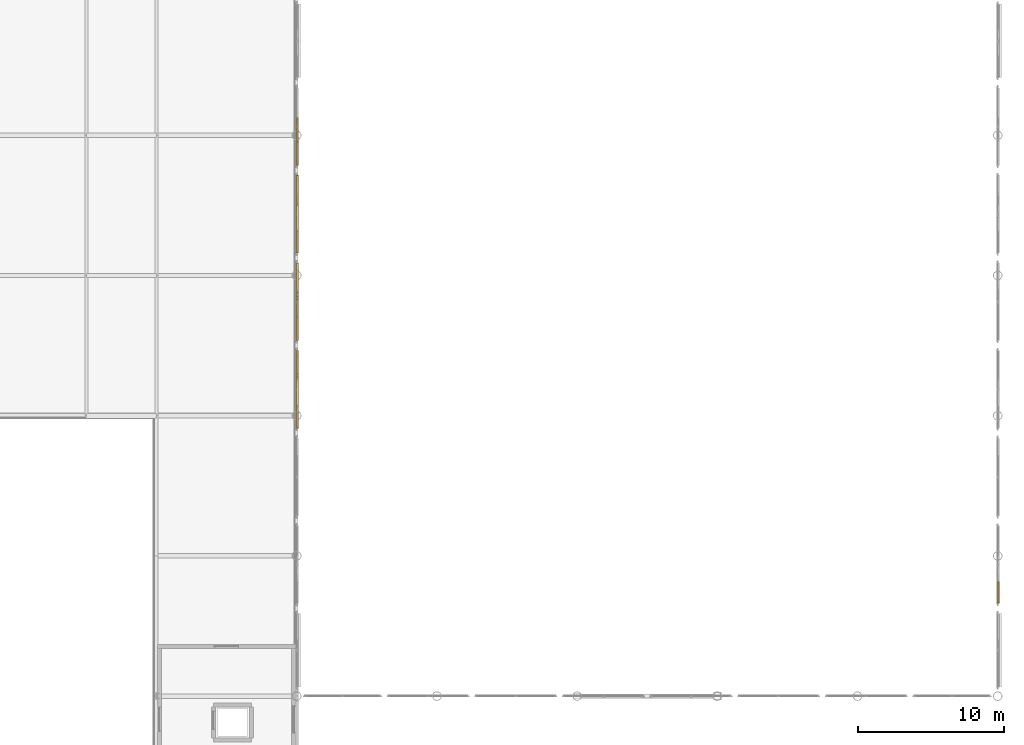
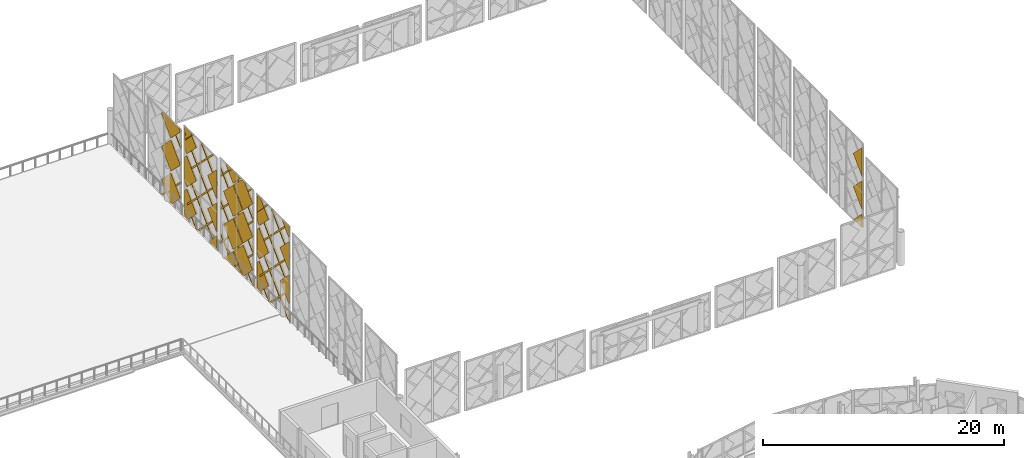
# One storey, part 49 of 53: 51 coverings.
"""IFC4 building model written with IfcOpenShell, lengths in metres."""

from ifc_helpers import new_model, si_unit, direction, frame, origin, place, context, subcontext, project, spatial, polyline, outline, extrude, material, layer, layer_set, type_object, element, save


model = new_model("IFC4")

# Units and contexts
model_context = context("Model", 3, precision=1e-05, world=origin(), true_north=direction((0.0, 1.0)))
body_context = subcontext(model_context, "Body", "Model", "MODEL_VIEW")
ifc_project = project(units=[si_unit("LENGTHUNIT", "METRE"), si_unit("AREAUNIT", "SQUARE_METRE"), si_unit("VOLUMEUNIT", "CUBIC_METRE"), si_unit("PLANEANGLEUNIT", "RADIAN"), si_unit("MASSUNIT", "GRAM", prefix="KILO")], contexts=[model_context])

# Site, building, storey
site_placement = place(None, origin())
site = spatial("IfcSite", under=ifc_project, at=site_placement, CompositionType="ELEMENT")
building_placement = place(site_placement, origin())
building = spatial("IfcBuilding", under=site, at=building_placement, Name="Zevrakil Square Congress Hotel", CompositionType="ELEMENT")
storey_placement = place(building_placement, frame((0.0, 0.0, 14.699951171875)))
storey = spatial("IfcBuildingStorey", under=building, at=storey_placement, Name="L04", CompositionType="ELEMENT", Elevation=14.699951171875)

# Coverings
ifc_material_1 = material(Name="Architectural White Fibre-C GRC", Category="concrete")
ifc_layer_1 = layer(ifc_material_1, 0.06494140625)
ifc_layer_set_1 = layer_set([ifc_layer_1], Name="Architectural White Fibre-C GRC")
covering_type_1 = type_object("IfcCoveringType", Name="COV-DIA-WHITE", PredefinedType="CLADDING", material=ifc_layer_set_1)
covering_1_placement = place(storey_placement, frame((117.69482421875, 88.090087890625, -0.169921875), z_axis=(0.99999985684, 5.4809643e-05, 0.000532274308), x_axis=(-0.00033761853, -0.707106744383, 0.707106737389)))
element("IfcCovering", 1, at=covering_1_placement, inside=storey, type_object=covering_type_1, Name="L04 45-degree white GRC diamond facade cassette 1205", PredefinedType="CLADDING", context=body_context, shape_type="SweptSolid", body=[
    extrude(outline(polyline([(0.0, 0.0), (2.2487239794044704, 0.0), (2.2485516645083075, -2.2485514384696526), (1.739628078143224, -2.248551405931103), (7.990954326020372e-08, -0.5089235904418198), (0.0, 0.0)])), origin(), (0.0, 0.0, -1.0), 0.1201171875),
])
covering_2_placement = place(storey_placement, frame((117.693115234375, 84.639892578125, 3.10009765625), z_axis=(0.9999998322, -8.1926907e-05, 0.000573488352), x_axis=(0.000347586468, -0.707106738472, -0.707106738472)))
element("IfcCovering", 2, at=covering_2_placement, inside=storey, type_object=covering_type_1, Name="L04 45-degree white GRC diamond facade cassette 1206", PredefinedType="CLADDING", context=body_context, shape_type="SweptSolid", body=[
    extrude(outline(polyline([(0.0, 0.0), (2.107164524546562, -2.220446049250313e-16), (-3.394399104017509e-07, -2.1071646235498394), (0.0, 0.0)])), origin(), (0.0, 0.0, -1.0), 0.1201171875),
])
covering_3_placement = place(storey_placement, frame((117.69287109375, 88.090087890625, 3.18994140625), z_axis=(0.999999812837, 0.0, 0.000611822413), x_axis=(-0.000432623818, -0.707106714509, 0.707106715519)))
element("IfcCovering", 3, at=covering_3_placement, inside=storey, type_object=covering_type_1, Name="L04 45-degree white GRC diamond facade cassette 1207", PredefinedType="CLADDING", context=body_context, shape_type="SweptSolid", body=[
    extrude(outline(polyline([(0.0, 0.0), (2.2487240723319237, 0.0), (2.248724496421547, -2.2487240723318838), (1.7396282720071192, -2.248551428883111), (0.00017273945985246675, -0.5090962243818599), (0.0, 0.0)])), origin(), (0.0, 0.0, -1.0), 0.1201171875),
])
covering_4_placement = place(storey_placement, frame((117.69091796875, 84.639892578125, 6.4599609375), z_axis=(0.9999998322, 8.1926907e-05, 0.000573488352), x_axis=(0.000463448602, -0.707106705249, -0.707106705249)))
element("IfcCovering", 4, at=covering_4_placement, inside=storey, type_object=covering_type_1, Name="L04 45-degree white GRC diamond facade cassette 1208", PredefinedType="CLADDING", context=body_context, shape_type="SweptSolid", body=[
    extrude(outline(polyline([(0.0, 0.0), (2.107164623549867, -2.220446049250313e-16), (-3.3943989441453937e-07, -2.1071645245465347), (0.0, 0.0)])), origin(), (0.0, 0.0, -1.0), 0.1201171875),
])
covering_5_placement = place(storey_placement, frame((117.69091796875, 88.090087890625, 6.550048828125), z_axis=(0.999999829685, 1.5375382e-05, 0.000583432269), x_axis=(-0.000401676919, -0.707106714383, 0.707106733902)))
element("IfcCovering", 5, at=covering_5_placement, inside=storey, type_object=covering_type_1, Name="L04 45-degree white GRC diamond facade cassette 1209", PredefinedType="CLADDING", context=body_context, shape_type="SweptSolid", body=[
    extrude(outline(polyline([(0.0, 0.0), (2.2487240711402685, 0.0), (2.248724391218561, -1.875145126709519), (1.8753181843800781, -2.2485514040144494), (1.7396282710069908, -2.2485514289652118), (0.00017273856993038628, -0.5090962241411041), (0.0, 0.0)])), origin(), (0.0, 0.0, -1.0), 0.1201171875),
])
covering_6_placement = place(storey_placement, frame((117.689697265625, 83.14990234375, 8.330078125), z_axis=(0.999999907623, 0.0, 0.000429830177), x_axis=(-0.000429830177, 0.0, 0.999999907623)))
element("IfcCovering", 6, at=covering_6_placement, inside=storey, type_object=covering_type_1, Name="L04 45-degree white GRC diamond facade cassette 1210", PredefinedType="CLADDING", context=body_context, shape_type="SweptSolid", body=[
    extrude(outline(polyline([(0.0, 0.0), (1.135986433064013, 0.0), (1.135986433064013, -1.135986328125), (0.0, 0.0)])), origin(), (0.0, 0.0, -1.0), 0.1201171875),
])
covering_7_placement = place(storey_placement, frame((117.694091796875, 92.409912109375, 1.330078125), z_axis=(0.999999790873, 0.0, 0.000646725815), x_axis=(0.000457304257, 0.707106707249, -0.707106707249)))
element("IfcCovering", 7, at=covering_7_placement, inside=storey, type_object=covering_type_1, Name="L04 45-degree white GRC diamond facade cassette 1219", PredefinedType="CLADDING", context=body_context, shape_type="SweptSolid", body=[
    extrude(outline(polyline([(0.0, 0.0), (2.1354765131557993, 0.0), (4.465861884739297e-07, -2.1354765131557527), (0.0, 0.0)])), origin(), (0.0, 0.0, -1.0), 0.1201171875),
])
covering_8_placement = place(storey_placement, frame((117.693115234375, 90.72998046875, 3.010009765625), z_axis=(0.999999856477, 2.18091e-07, 0.000535767289), x_axis=(0.000378661405, 0.70716100192, -0.707052454899)))
element("IfcCovering", 8, at=covering_8_placement, inside=storey, type_object=covering_type_1, Name="L04 45-degree white GRC diamond facade cassette 1220", PredefinedType="CLADDING", context=body_context, shape_type="SweptSolid", body=[
    extrude(outline(polyline([(0.0, 0.0), (2.2485514420054766, 2.220446049250313e-16), (2.2483791200414514, -2.248723969768042), (0.013811095500841475, -2.2485525000985067), (-0.00017114298715226184, -2.234568117059487), (0.0, 0.0)])), origin(), (0.0, 0.0, -1.0), 0.1201171875),
])
covering_9_placement = place(storey_placement, frame((117.69189453125, 92.409912109375, 4.68994140625), z_axis=(0.999999811377, 0.0, 0.000614203339), x_axis=(0.000434274062, 0.707160967493, -0.707052457361)))
element("IfcCovering", 9, at=covering_9_placement, inside=storey, type_object=covering_type_1, Name="L04 45-degree white GRC diamond facade cassette 1221", PredefinedType="CLADDING", context=body_context, shape_type="SweptSolid", body=[
    extrude(outline(polyline([(0.0, 0.0), (2.248551551510707, 2.220446049250313e-16), (2.248379328934688, -2.248723959707921), (-0.00017198403640539262, -2.2483789048388836), (0.0, 0.0)])), origin(), (0.0, 0.0, -1.0), 0.1201171875),
])
covering_10_placement = place(storey_placement, frame((117.69091796875, 90.72998046875, 6.3701171875), z_axis=(0.999999812584, 0.0, 0.000612235231), x_axis=(0.000432915724, 0.707106714509, -0.707106715341)))
element("IfcCovering", 10, at=covering_10_placement, inside=storey, type_object=covering_type_1, Name="L04 45-degree white GRC diamond facade cassette 1222", PredefinedType="CLADDING", context=body_context, shape_type="SweptSolid", body=[
    extrude(outline(polyline([(0.0, 0.0), (2.2487240723329105, -2.220446049250313e-16), (2.2487244964245092, -2.248724072332871), (0.014156369068123897, -2.2487240696714954), (4.240832742752332e-07, -2.2345681273563454), (0.0, 0.0)])), origin(), (0.0, 0.0, -1.0), 0.1201171875),
])
covering_11_placement = place(storey_placement, frame((117.68994140625, 92.409912109375, 8.050048828125), z_axis=(0.999999811377, 0.0, 0.000614203339), x_axis=(0.000434307387, 0.707106714509, -0.707106714488)))
element("IfcCovering", 11, at=covering_11_placement, inside=storey, type_object=covering_type_1, Name="L04 45-degree white GRC diamond facade cassette 1223", PredefinedType="CLADDING", context=body_context, shape_type="SweptSolid", body=[
    extrude(outline(polyline([(0.0, 0.0), (2.2487240723349844, 0.0), (2.2485518629555123, -2.248551438892285), (0.00017305757096663932, -2.248551438827165), (0.0, 0.0)])), origin(), (0.0, 0.0, -1.0), 0.1201171875),
])
covering_12_placement = place(storey_placement, frame((117.68994140625, 92.320068359375, 8.14013671875), z_axis=(0.999999830637, -2.45038e-07, 0.000582000809), x_axis=(0.000411363489, -0.707106714688, -0.707106728028)))
element("IfcCovering", 12, at=covering_12_placement, inside=storey, type_object=covering_type_1, Name="L04 45-degree white GRC diamond facade cassette 1224", PredefinedType="CLADDING", context=body_context, shape_type="SweptSolid", body=[
    extrude(outline(polyline([(0.0, 0.0), (2.2487240717448147, 0.0), (2.2487236489450813, -2.234568126659195), (2.234567703706238, -2.2487240692314816), (0.3734058880208647, -2.2485514045336545), (0.00017231449633059448, -1.875317760809525), (0.0, 0.0)])), origin(), (0.0, 0.0, -1.0), 0.1201171875),
])
covering_13_placement = place(storey_placement, frame((117.68994140625, 92.409912109375, 8.22998046875), z_axis=(0.999999824452, 0.0, 0.000592533967), x_axis=(-0.000419026202, -0.70703687796, 0.70717655336)))
element("IfcCovering", 13, at=covering_13_placement, inside=storey, type_object=covering_type_1, Name="L04 45-degree white GRC diamond facade cassette 1225", PredefinedType="CLADDING", context=body_context, shape_type="SweptSolid", body=[
    extrude(outline(polyline([(0.0, 0.0), (1.7479142634208928, 1.1102230246251565e-16), (0.00017295742967926575, -1.7480868798158407), (0.0, 0.0)])), origin(), (0.0, 0.0, -1.0), 0.1201171875),
])
covering_14_placement = place(storey_placement, frame((117.695068359375, 96.56005859375, -0.179931640625), z_axis=(0.999999760125, 0.0, 0.000692640526), x_axis=(0.0, -1.0, 0.0)))
element("IfcCovering", 14, at=covering_14_placement, inside=storey, type_object=covering_type_1, Name="L04 45-degree white GRC diamond facade cassette 1234", PredefinedType="CLADDING", context=body_context, shape_type="SweptSolid", body=[
    extrude(outline(polyline([(0.0, 0.0), (1.41015625, 0.0), (1.41015625, -1.4099124475784226), (0.0, 0.0)])), origin(), (0.0, 0.0, -1.0), 0.1201171875),
])
covering_15_placement = place(storey_placement, frame((117.69482421875, 100.090087890625, -0.169921875), z_axis=(0.99999985684, 5.4809643e-05, 0.000532274308), x_axis=(-0.00033761853, -0.707106744383, 0.707106737389)))
element("IfcCovering", 15, at=covering_15_placement, inside=storey, type_object=covering_type_1, Name="L04 45-degree white GRC diamond facade cassette 1235", PredefinedType="CLADDING", context=body_context, shape_type="SweptSolid", body=[
    extrude(outline(polyline([(0.0, 0.0), (2.2487239794044704, 0.0), (2.2485516645083075, -2.2485514384696526), (1.739628078143224, -2.248551405931103), (7.990954326020372e-08, -0.5089235904418198), (0.0, 0.0)])), origin(), (0.0, 0.0, -1.0), 0.1201171875),
])
covering_16_placement = place(storey_placement, frame((117.693115234375, 96.639892578125, 3.10009765625), z_axis=(0.9999998322, -8.1926907e-05, 0.000573488352), x_axis=(0.000347586468, -0.707106738472, -0.707106738472)))
element("IfcCovering", 16, at=covering_16_placement, inside=storey, type_object=covering_type_1, Name="L04 45-degree white GRC diamond facade cassette 1236", PredefinedType="CLADDING", context=body_context, shape_type="SweptSolid", body=[
    extrude(outline(polyline([(0.0, 0.0), (2.107164524546562, -2.220446049250313e-16), (-3.394399104017509e-07, -2.1071646235498394), (0.0, 0.0)])), origin(), (0.0, 0.0, -1.0), 0.1201171875),
])
covering_17_placement = place(storey_placement, frame((117.69287109375, 100.090087890625, 3.18994140625), z_axis=(0.999999812837, 0.0, 0.000611822413), x_axis=(-0.000432623818, -0.707106714509, 0.707106715519)))
element("IfcCovering", 17, at=covering_17_placement, inside=storey, type_object=covering_type_1, Name="L04 45-degree white GRC diamond facade cassette 1237", PredefinedType="CLADDING", context=body_context, shape_type="SweptSolid", body=[
    extrude(outline(polyline([(0.0, 0.0), (2.2487240723319237, 0.0), (2.248724496421547, -2.2487240723318838), (1.7396282720071192, -2.248551428883111), (0.00017273945985246675, -0.5090962243818599), (0.0, 0.0)])), origin(), (0.0, 0.0, -1.0), 0.1201171875),
])
covering_18_placement = place(storey_placement, frame((117.69091796875, 96.639892578125, 6.4599609375), z_axis=(0.9999998322, 8.1926907e-05, 0.000573488352), x_axis=(0.000463448602, -0.707106705249, -0.707106705249)))
element("IfcCovering", 18, at=covering_18_placement, inside=storey, type_object=covering_type_1, Name="L04 45-degree white GRC diamond facade cassette 1238", PredefinedType="CLADDING", context=body_context, shape_type="SweptSolid", body=[
    extrude(outline(polyline([(0.0, 0.0), (2.107164623549867, -2.220446049250313e-16), (-3.3943989441453937e-07, -2.1071645245465347), (0.0, 0.0)])), origin(), (0.0, 0.0, -1.0), 0.1201171875),
])
covering_19_placement = place(storey_placement, frame((117.69091796875, 100.090087890625, 6.550048828125), z_axis=(0.999999838431, -9.352722e-06, 0.000568375038), x_axis=(-0.000408515253, -0.707106714984, 0.707106729384)))
element("IfcCovering", 19, at=covering_19_placement, inside=storey, type_object=covering_type_1, Name="L04 45-degree white GRC diamond facade cassette 1239", PredefinedType="CLADDING", context=body_context, shape_type="SweptSolid", body=[
    extrude(outline(polyline([(0.0, 0.0), (2.248724071588953, -2.220446049250313e-16), (2.2487242847524063, -1.3448149867361068), (1.5423081036697395, -2.0512313000327316), (0.00017273839596110285, -0.5090962231377676), (0.0, 0.0)])), origin(), (0.0, 0.0, -1.0), 0.1201171875),
])
covering_20_placement = place(storey_placement, frame((117.693115234375, 102.72998046875, 3.010009765625), z_axis=(0.999999856477, 2.18091e-07, 0.000535767289), x_axis=(0.000378661405, 0.70716100192, -0.707052454899)))
element("IfcCovering", 20, at=covering_20_placement, inside=storey, type_object=covering_type_1, Name="L04 45-degree white GRC diamond facade cassette 1249", PredefinedType="CLADDING", context=body_context, shape_type="SweptSolid", body=[
    extrude(outline(polyline([(0.0, 0.0), (2.2485514420054766, 2.220446049250313e-16), (2.2483791200414514, -2.248723969768042), (0.013811095500841475, -2.2485525000985067), (-0.00017114298715226184, -2.234568117059487), (0.0, 0.0)])), origin(), (0.0, 0.0, -1.0), 0.1201171875),
])
covering_21_placement = place(storey_placement, frame((117.69091796875, 102.72998046875, 6.3701171875), z_axis=(0.999999812584, 0.0, 0.000612235231), x_axis=(0.000432915724, 0.707106714509, -0.707106715341)))
element("IfcCovering", 21, at=covering_21_placement, inside=storey, type_object=covering_type_1, Name="L04 45-degree white GRC diamond facade cassette 1251", PredefinedType="CLADDING", context=body_context, shape_type="SweptSolid", body=[
    extrude(outline(polyline([(0.0, 0.0), (2.2487240723329105, -2.220446049250313e-16), (2.2487244964245092, -2.248724072332871), (0.014156369068123897, -2.2487240696714954), (4.240832742752332e-07, -2.2345681273563454), (0.0, 0.0)])), origin(), (0.0, 0.0, -1.0), 0.1201171875),
])
covering_22_placement = place(storey_placement, frame((117.68994140625, 104.320068359375, 8.14013671875), z_axis=(0.999999735551, -1.172327e-06, 0.000727252544), x_axis=(0.000513416292, -0.707106716816, -0.707106659167)))
element("IfcCovering", 22, at=covering_22_placement, inside=storey, type_object=covering_type_1, Name="L04 45-degree white GRC diamond facade cassette 1253", PredefinedType="CLADDING", context=body_context, shape_type="SweptSolid", body=[
    extrude(outline(polyline([(0.0, 0.0), (2.2487240652925458, 0.0), (2.2487236549996803, -2.2345681205691044), (2.2345677111394115, -2.24872406182791), (1.96439620719622, -2.2485514936769815), (0.00017251971333281935, -0.2843274485744313), (0.0, 0.0)])), origin(), (0.0, 0.0, -1.0), 0.1201171875),
])
covering_23_placement = place(storey_placement, frame((165.695068359375, 72.56005859375, -0.179931640625), z_axis=(0.999999760125, 0.0, 0.000692640526), x_axis=(0.0, -1.0, 0.0)))
element("IfcCovering", 23, at=covering_23_placement, inside=storey, type_object=covering_type_1, Name="L04 45-degree white GRC diamond facade cassette 1283", PredefinedType="CLADDING", context=body_context, shape_type="SweptSolid", body=[
    extrude(outline(polyline([(0.0, 0.0), (1.41015625, 0.0), (1.41015625, -1.4099124475784226), (0.0, 0.0)])), origin(), (0.0, 0.0, -1.0), 0.1201171875),
])
covering_24_placement = place(storey_placement, frame((165.693115234375, 72.639892578125, 3.10009765625), z_axis=(0.9999998322, -8.1926907e-05, 0.000573488352), x_axis=(0.000347586468, -0.707106738472, -0.707106738472)))
element("IfcCovering", 24, at=covering_24_placement, inside=storey, type_object=covering_type_1, Name="L04 45-degree white GRC diamond facade cassette 1285", PredefinedType="CLADDING", context=body_context, shape_type="SweptSolid", body=[
    extrude(outline(polyline([(0.0, 0.0), (2.107164524546562, -2.220446049250313e-16), (-3.394399104017509e-07, -2.1071646235498394), (0.0, 0.0)])), origin(), (0.0, 0.0, -1.0), 0.1201171875),
])
covering_25_placement = place(storey_placement, frame((165.69091796875, 72.639892578125, 6.4599609375), z_axis=(0.9999998322, 8.1926907e-05, 0.000573488352), x_axis=(0.000463448602, -0.707106705249, -0.707106705249)))
element("IfcCovering", 25, at=covering_25_placement, inside=storey, type_object=covering_type_1, Name="L04 45-degree white GRC diamond facade cassette 1287", PredefinedType="CLADDING", context=body_context, shape_type="SweptSolid", body=[
    extrude(outline(polyline([(0.0, 0.0), (2.107164623549867, -2.220446049250313e-16), (-3.3943989441453937e-07, -2.1071645245465347), (0.0, 0.0)])), origin(), (0.0, 0.0, -1.0), 0.1201171875),
])
ifc_material_2 = material(Name="Anodised Champagne Aluminium", Category="aluminium")
ifc_layer_2 = layer(ifc_material_2, 0.0849609375)
ifc_layer_set_2 = layer_set([ifc_layer_2], Name="Anodised Champagne Aluminium")
covering_type_2 = type_object("IfcCoveringType", Name="COV-DIAGRID-45", PredefinedType="MOLDING", material=ifc_layer_set_2)
covering_26_placement = place(storey_placement, frame((117.716064453125, 83.14990234375, 6.453857421875), z_axis=(0.999999570276, -0.000259809764, 0.000889913661), x_axis=(-0.000889913709, -6.7423e-08, 0.999999604027)))
element("IfcCovering", 26, at=covering_26_placement, inside=storey, type_object=covering_type_2, Name="L04 45-degree aluminium diagrid rib 1211", PredefinedType="MOLDING", context=body_context, shape_type="SweptSolid", body=[
    extrude(outline(polyline([(0.0, 0.0), (0.21240247690843522, -1.3234889800848443e-23), (3.0122073878201516, -2.800049125721742), (3.0122073735157064, -3.0122073216862835), (0.0, 0.0)])), origin(), (0.0, 0.0, -1.0), 0.14501953125),
])
covering_27_placement = place(storey_placement, frame((117.718017578125, 83.14990234375, 3.093994140625), z_axis=(0.999999833392, 4.64879e-05, 0.000575373897), x_axis=(-0.000575373897, -2.6748e-08, 0.999999834472)))
element("IfcCovering", 27, at=covering_27_placement, inside=storey, type_object=covering_type_2, Name="L04 45-degree aluminium diagrid rib 1212", PredefinedType="MOLDING", context=body_context, shape_type="SweptSolid", body=[
    extrude(outline(polyline([(0.0, 0.0), (0.2121581680069672, 7.019726096763487e-25), (5.5122079436724105, -5.300048981292179), (5.300049635193301, -5.300048969942592), (0.0, 0.0)])), origin(), (0.0, 0.0, -1.0), 0.14501953125),
])
covering_28_placement = place(storey_placement, frame((117.719970703125, 83.236083984375, -0.179931640625), z_axis=(0.999999877937, 0.000478784596, 0.000122029576), x_axis=(0.000478784592, -0.999999885383, 5.8426e-08)))
element("IfcCovering", 28, at=covering_28_placement, inside=storey, type_object=covering_type_2, Name="L04 45-degree aluminium diagrid rib 1213", PredefinedType="MOLDING", context=body_context, shape_type="SweptSolid", body=[
    extrude(outline(polyline([(0.0, 0.0), (0.08618163074708864, 0.0), (0.08618163810738114, -0.1259765615620276), (-5.213867792460008, -5.426025737525873), (-5.213867804855539, -5.213867535980521), (0.0, 0.0)])), origin(), (0.0, 0.0, -1.0), 0.14501953125),
])
covering_29_placement = place(storey_placement, frame((117.719970703125, 86.59619140625, -0.179931640625), z_axis=(0.999999903024, 0.000311410035, 0.000311410035), x_axis=(0.000311410019, -0.999999951512, 9.6976e-08)))
element("IfcCovering", 29, at=covering_29_placement, inside=storey, type_object=covering_type_2, Name="L04 45-degree aluminium diagrid rib 1214", PredefinedType="MOLDING", context=body_context, shape_type="SweptSolid", body=[
    extrude(outline(polyline([(0.0, 0.0), (0.21240233345101264, 0.0), (-1.8537598555103045, -2.0661623893299237), (-1.8537598761082796, -1.853760055878912), (0.0, 0.0)])), origin(), (0.0, 0.0, -1.0), 0.14501953125),
])
covering_30_placement = place(storey_placement, frame((117.718017578125, 83.14990234375, 2.89404296875), z_axis=(0.999999905696, -0.00030708991, 0.00030708991), x_axis=(-0.000307089896, 9.4304e-08, 0.999999952848)))
element("IfcCovering", 30, at=covering_30_placement, inside=storey, type_object=covering_type_2, Name="L04 45-degree aluminium diagrid rib 1215", PredefinedType="MOLDING", context=body_context, shape_type="SweptSolid", body=[
    extrude(outline(polyline([(0.0, 0.0), (0.2121581931212936, 0.0), (-3.0739747543193885, -3.2861332573369064), (-3.073974774326802, -3.0739750642156136), (0.0, 0.0)])), origin(), (0.0, 0.0, -1.0), 0.14501953125),
])
covering_31_placement = place(storey_placement, frame((117.716064453125, 83.14990234375, 6.25390625), z_axis=(0.999999834662, -7.68172e-07, 0.000575043033), x_axis=(-0.000575043033, 4.42e-10, 0.999999834663)))
element("IfcCovering", 31, at=covering_31_placement, inside=storey, type_object=covering_type_2, Name="L04 45-degree aluminium diagrid rib 1216", PredefinedType="MOLDING", context=body_context, shape_type="SweptSolid", body=[
    extrude(outline(polyline([(0.0, 0.0), (0.2121581680473443, 0.0), (-5.087647325552662, -5.300048830373941), (-5.3000497745760065, -5.300048830561482), (0.0, 0.0)])), origin(), (0.0, 0.0, -1.0), 0.14501953125),
])
covering_32_placement = place(storey_placement, frame((117.714111328125, 83.2978515625, 9.466064453125), z_axis=(0.999999577504, 0.000272981348, 0.000877766152), x_axis=(-0.000272981243, 0.999999962741, -2.39614e-07)))
element("IfcCovering", 32, at=covering_32_placement, inside=storey, type_object=covering_type_2, Name="L04 45-degree aluminium diagrid rib 1217", PredefinedType="MOLDING", context=body_context, shape_type="SweptSolid", body=[
    extrude(outline(polyline([(0.0, 0.0), (0.21215819522011076, 0.0), (5.152099801339194, -4.9399420747833425), (5.152099785529415, -5.152100410475578), (0.0, 0.0)])), origin(), (0.0, 0.0, -1.0), 0.14501953125),
])
covering_33_placement = place(storey_placement, frame((117.714111328125, 86.657958984375, 9.466064453125), z_axis=(0.999999916124, -0.00028978025, 0.000289447169), x_axis=(0.000289780238, 0.999999958014, 8.3876e-08)))
element("IfcCovering", 33, at=covering_33_placement, inside=storey, type_object=covering_type_2, Name="L04 45-degree aluminium diagrid rib 1218", PredefinedType="MOLDING", context=body_context, shape_type="SweptSolid", body=[
    extrude(outline(polyline([(0.0, 0.0), (0.21215819421726256, 0.0), (1.79199226273912, -1.5798342008592756), (1.7919922449236447, -1.7922365357117762), (0.0, 0.0)])), origin(), (0.0, 0.0, -1.0), 0.14501953125),
])
covering_34_placement = place(storey_placement, frame((117.716064453125, 89.14990234375, 6.453857421875), z_axis=(0.999999570276, -0.000259809764, 0.000889913661), x_axis=(-0.000889913709, -6.7423e-08, 0.999999604027)))
element("IfcCovering", 34, at=covering_34_placement, inside=storey, type_object=covering_type_2, Name="L04 45-degree aluminium diagrid rib 1226", PredefinedType="MOLDING", context=body_context, shape_type="SweptSolid", body=[
    extrude(outline(polyline([(0.0, 0.0), (0.21240247690843522, -1.3234889800848443e-23), (3.0122073878201516, -2.800049125721742), (3.0122073735157064, -3.0122073216862835), (0.0, 0.0)])), origin(), (0.0, 0.0, -1.0), 0.14501953125),
])
covering_35_placement = place(storey_placement, frame((117.718017578125, 89.14990234375, 3.093994140625), z_axis=(0.999999833392, 4.64879e-05, 0.000575373897), x_axis=(-0.000575373897, -2.6748e-08, 0.999999834472)))
element("IfcCovering", 35, at=covering_35_placement, inside=storey, type_object=covering_type_2, Name="L04 45-degree aluminium diagrid rib 1227", PredefinedType="MOLDING", context=body_context, shape_type="SweptSolid", body=[
    extrude(outline(polyline([(0.0, 0.0), (0.2121581680069672, 7.019726096763487e-25), (5.5122079436724105, -5.300048981292179), (5.300049635193301, -5.300048969942592), (0.0, 0.0)])), origin(), (0.0, 0.0, -1.0), 0.14501953125),
])
covering_36_placement = place(storey_placement, frame((117.719970703125, 89.236083984375, -0.179931640625), z_axis=(0.999999877937, 0.000478784596, 0.000122029576), x_axis=(0.000478784592, -0.999999885383, 5.8426e-08)))
element("IfcCovering", 36, at=covering_36_placement, inside=storey, type_object=covering_type_2, Name="L04 45-degree aluminium diagrid rib 1228", PredefinedType="MOLDING", context=body_context, shape_type="SweptSolid", body=[
    extrude(outline(polyline([(0.0, 0.0), (0.08618163074708864, 0.0), (0.08618163810738114, -0.1259765615620276), (-5.213867792460008, -5.426025737525873), (-5.213867804855539, -5.213867535980521), (0.0, 0.0)])), origin(), (0.0, 0.0, -1.0), 0.14501953125),
])
covering_37_placement = place(storey_placement, frame((117.719970703125, 92.59619140625, -0.179931640625), z_axis=(0.999999903024, 0.000311410035, 0.000311410035), x_axis=(0.000311410019, -0.999999951512, 9.6976e-08)))
element("IfcCovering", 37, at=covering_37_placement, inside=storey, type_object=covering_type_2, Name="L04 45-degree aluminium diagrid rib 1229", PredefinedType="MOLDING", context=body_context, shape_type="SweptSolid", body=[
    extrude(outline(polyline([(0.0, 0.0), (0.21240233345101264, 0.0), (-1.8537598555103045, -2.0661623893299237), (-1.8537598761082796, -1.853760055878912), (0.0, 0.0)])), origin(), (0.0, 0.0, -1.0), 0.14501953125),
])
covering_38_placement = place(storey_placement, frame((117.718017578125, 89.14990234375, 2.89404296875), z_axis=(0.999999905696, -0.00030708991, 0.00030708991), x_axis=(-0.000307089896, 9.4304e-08, 0.999999952848)))
element("IfcCovering", 38, at=covering_38_placement, inside=storey, type_object=covering_type_2, Name="L04 45-degree aluminium diagrid rib 1230", PredefinedType="MOLDING", context=body_context, shape_type="SweptSolid", body=[
    extrude(outline(polyline([(0.0, 0.0), (0.2121581931212936, 0.0), (-3.0739747543193885, -3.2861332573369064), (-3.073974774326802, -3.0739750642156136), (0.0, 0.0)])), origin(), (0.0, 0.0, -1.0), 0.14501953125),
])
covering_39_placement = place(storey_placement, frame((117.716064453125, 89.14990234375, 6.25390625), z_axis=(0.999999834662, -7.68172e-07, 0.000575043033), x_axis=(-0.000575043033, 4.42e-10, 0.999999834663)))
element("IfcCovering", 39, at=covering_39_placement, inside=storey, type_object=covering_type_2, Name="L04 45-degree aluminium diagrid rib 1231", PredefinedType="MOLDING", context=body_context, shape_type="SweptSolid", body=[
    extrude(outline(polyline([(0.0, 0.0), (0.2121581680473443, 0.0), (-5.087647325552662, -5.300048830373941), (-5.3000497745760065, -5.300048830561482), (0.0, 0.0)])), origin(), (0.0, 0.0, -1.0), 0.14501953125),
])
covering_40_placement = place(storey_placement, frame((117.714111328125, 89.2978515625, 9.466064453125), z_axis=(0.999999577504, 0.000272981348, 0.000877766152), x_axis=(-0.000272981243, 0.999999962741, -2.39614e-07)))
element("IfcCovering", 40, at=covering_40_placement, inside=storey, type_object=covering_type_2, Name="L04 45-degree aluminium diagrid rib 1232", PredefinedType="MOLDING", context=body_context, shape_type="SweptSolid", body=[
    extrude(outline(polyline([(0.0, 0.0), (0.21215819522011076, 0.0), (5.152099801339194, -4.9399420747833425), (5.152099785529415, -5.152100410475578), (0.0, 0.0)])), origin(), (0.0, 0.0, -1.0), 0.14501953125),
])
covering_41_placement = place(storey_placement, frame((117.714111328125, 92.657958984375, 9.466064453125), z_axis=(0.999999916124, -0.00028978025, 0.000289447169), x_axis=(0.000289780238, 0.999999958014, 8.3876e-08)))
element("IfcCovering", 41, at=covering_41_placement, inside=storey, type_object=covering_type_2, Name="L04 45-degree aluminium diagrid rib 1233", PredefinedType="MOLDING", context=body_context, shape_type="SweptSolid", body=[
    extrude(outline(polyline([(0.0, 0.0), (0.21215819421726256, 0.0), (1.79199226273912, -1.5798342008592756), (1.7919922449236447, -1.7922365357117762), (0.0, 0.0)])), origin(), (0.0, 0.0, -1.0), 0.14501953125),
])
covering_42_placement = place(storey_placement, frame((117.716064453125, 95.14990234375, 6.453857421875), z_axis=(0.99999957125, -0.000261361694, 0.000888363516), x_axis=(-0.000888363565, -6.8231e-08, 0.999999605405)))
element("IfcCovering", 42, at=covering_42_placement, inside=storey, type_object=covering_type_2, Name="L04 45-degree aluminium diagrid rib 1240", PredefinedType="MOLDING", context=body_context, shape_type="SweptSolid", body=[
    extrude(outline(polyline([(0.0, 0.0), (0.21240247682273486, -1.3234889800848443e-23), (2.6372073433563488, -2.425049090892764), (2.6372073288805025, -2.6372072867715066), (0.0, 0.0)])), origin(), (0.0, 0.0, -1.0), 0.14501953125),
])
covering_43_placement = place(storey_placement, frame((117.718017578125, 95.14990234375, 3.093994140625), z_axis=(0.999999833392, 4.64879e-05, 0.000575373897), x_axis=(-0.000575373897, -2.6748e-08, 0.999999834472)))
element("IfcCovering", 43, at=covering_43_placement, inside=storey, type_object=covering_type_2, Name="L04 45-degree aluminium diagrid rib 1241", PredefinedType="MOLDING", context=body_context, shape_type="SweptSolid", body=[
    extrude(outline(polyline([(0.0, 0.0), (0.2121581680069672, 7.019726096763487e-25), (5.5122079436724105, -5.300048981292179), (5.300049635193301, -5.300048969942592), (0.0, 0.0)])), origin(), (0.0, 0.0, -1.0), 0.14501953125),
])
covering_44_placement = place(storey_placement, frame((117.719970703125, 95.236083984375, -0.179931640625), z_axis=(0.999999877937, 0.000478784596, 0.000122029576), x_axis=(0.000478784592, -0.999999885383, 5.8426e-08)))
element("IfcCovering", 44, at=covering_44_placement, inside=storey, type_object=covering_type_2, Name="L04 45-degree aluminium diagrid rib 1242", PredefinedType="MOLDING", context=body_context, shape_type="SweptSolid", body=[
    extrude(outline(polyline([(0.0, 0.0), (0.08618163074708864, 0.0), (0.08618163810738114, -0.1259765615620276), (-5.213867792460008, -5.426025737525873), (-5.213867804855539, -5.213867535980521), (0.0, 0.0)])), origin(), (0.0, 0.0, -1.0), 0.14501953125),
])
covering_45_placement = place(storey_placement, frame((117.719970703125, 98.59619140625, -0.179931640625), z_axis=(0.999999903024, 0.000311410035, 0.000311410035), x_axis=(0.000311410019, -0.999999951512, 9.6976e-08)))
element("IfcCovering", 45, at=covering_45_placement, inside=storey, type_object=covering_type_2, Name="L04 45-degree aluminium diagrid rib 1243", PredefinedType="MOLDING", context=body_context, shape_type="SweptSolid", body=[
    extrude(outline(polyline([(0.0, 0.0), (0.21240233345101264, 0.0), (-1.8537598555103045, -2.0661623893299237), (-1.8537598761082796, -1.853760055878912), (0.0, 0.0)])), origin(), (0.0, 0.0, -1.0), 0.14501953125),
])
covering_46_placement = place(storey_placement, frame((117.718017578125, 95.14990234375, 2.89404296875), z_axis=(0.999999905696, -0.00030708991, 0.00030708991), x_axis=(-0.000307089896, 9.4304e-08, 0.999999952848)))
element("IfcCovering", 46, at=covering_46_placement, inside=storey, type_object=covering_type_2, Name="L04 45-degree aluminium diagrid rib 1244", PredefinedType="MOLDING", context=body_context, shape_type="SweptSolid", body=[
    extrude(outline(polyline([(0.0, 0.0), (0.2121581931212936, 0.0), (-3.0739747543193885, -3.2861332573369064), (-3.073974774326802, -3.0739750642156136), (0.0, 0.0)])), origin(), (0.0, 0.0, -1.0), 0.14501953125),
])
covering_47_placement = place(storey_placement, frame((117.716064453125, 95.14990234375, 6.25390625), z_axis=(0.999999834662, -7.68172e-07, 0.000575043033), x_axis=(-0.000575043033, 4.42e-10, 0.999999834663)))
element("IfcCovering", 47, at=covering_47_placement, inside=storey, type_object=covering_type_2, Name="L04 45-degree aluminium diagrid rib 1245", PredefinedType="MOLDING", context=body_context, shape_type="SweptSolid", body=[
    extrude(outline(polyline([(0.0, 0.0), (0.2121581680473443, 0.0), (-5.087647325552662, -5.300048830373941), (-5.3000497745760065, -5.300048830561482), (0.0, 0.0)])), origin(), (0.0, 0.0, -1.0), 0.14501953125),
])
covering_48_placement = place(storey_placement, frame((117.71435546875, 95.6728515625, 9.091064453125), z_axis=(0.999999578623, 0.00027483814, 0.000875909362), x_axis=(-0.000274838034, 0.999999962232, -2.40733e-07)))
element("IfcCovering", 48, at=covering_48_placement, inside=storey, type_object=covering_type_2, Name="L04 45-degree aluminium diagrid rib 1246", PredefinedType="MOLDING", context=body_context, shape_type="SweptSolid", body=[
    extrude(outline(polyline([(0.0, 0.0), (0.21215819511220851, 0.0), (4.777099789796515, -4.564942007394465), (4.777099773770932, -4.777100342978797), (0.0, 0.0)])), origin(), (0.0, 0.0, -1.0), 0.14501953125),
])
covering_49_placement = place(storey_placement, frame((117.71435546875, 99.032958984375, 9.091064453125), z_axis=(0.999999921968, -0.000279503233, 0.000279181965), x_axis=(0.000279503223, 0.999999960939, 7.8032e-08)))
element("IfcCovering", 49, at=covering_49_placement, inside=storey, type_object=covering_type_2, Name="L04 45-degree aluminium diagrid rib 1247", PredefinedType="MOLDING", context=body_context, shape_type="SweptSolid", body=[
    extrude(outline(polyline([(0.0, 0.0), (0.21215819483788217, 0.0), (1.416992242849176, -1.2048341419000534), (1.41699222627494, -1.4172364773724604), (0.0, 0.0)])), origin(), (0.0, 0.0, -1.0), 0.14501953125),
])
covering_50_placement = place(storey_placement, frame((117.716064453125, 101.14990234375, 6.453857421875), z_axis=(0.999999574395, -0.000266426087, 0.000883304948), x_axis=(-0.000883304999, -7.0901e-08, 0.999999609886)))
element("IfcCovering", 50, at=covering_50_placement, inside=storey, type_object=covering_type_2, Name="L04 45-degree aluminium diagrid rib 1254", PredefinedType="MOLDING", context=body_context, shape_type="SweptSolid", body=[
    extrude(outline(polyline([(0.0, 0.0), (0.2124024765395195, 0.0), (1.8872072545143885, -1.6750490213801978), (1.887207239472112, -1.887207216975399), (0.0, 0.0)])), origin(), (0.0, 0.0, -1.0), 0.14501953125),
])
covering_51_placement = place(storey_placement, frame((117.718017578125, 101.14990234375, 2.89404296875), z_axis=(0.999999905696, -0.00030708991, 0.00030708991), x_axis=(-0.000307089896, 9.4304e-08, 0.999999952848)))
element("IfcCovering", 51, at=covering_51_placement, inside=storey, type_object=covering_type_2, Name="L04 45-degree aluminium diagrid rib 1258", PredefinedType="MOLDING", context=body_context, shape_type="SweptSolid", body=[
    extrude(outline(polyline([(0.0, 0.0), (0.2121581931212936, 0.0), (-3.0739747543193885, -3.2861332573369064), (-3.073974774326802, -3.0739750642156136), (0.0, 0.0)])), origin(), (0.0, 0.0, -1.0), 0.14501953125),
])

save(model, "model.ifc")
